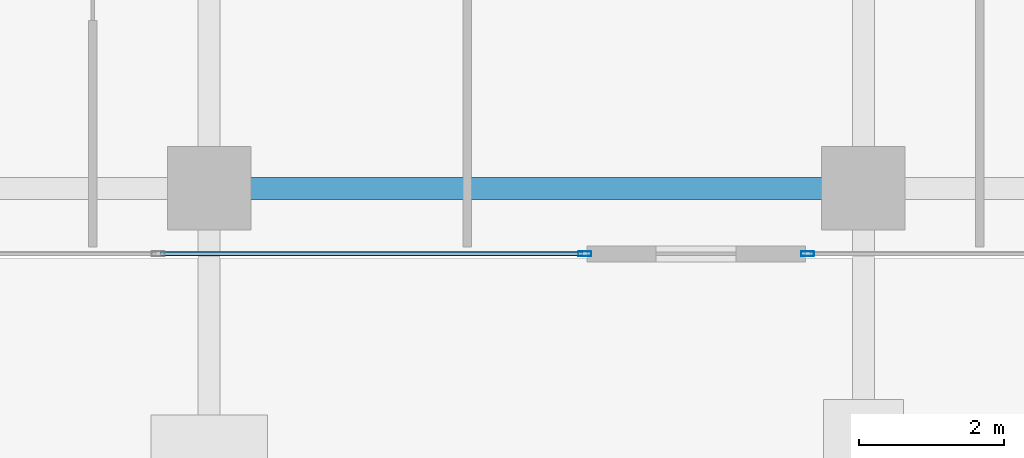
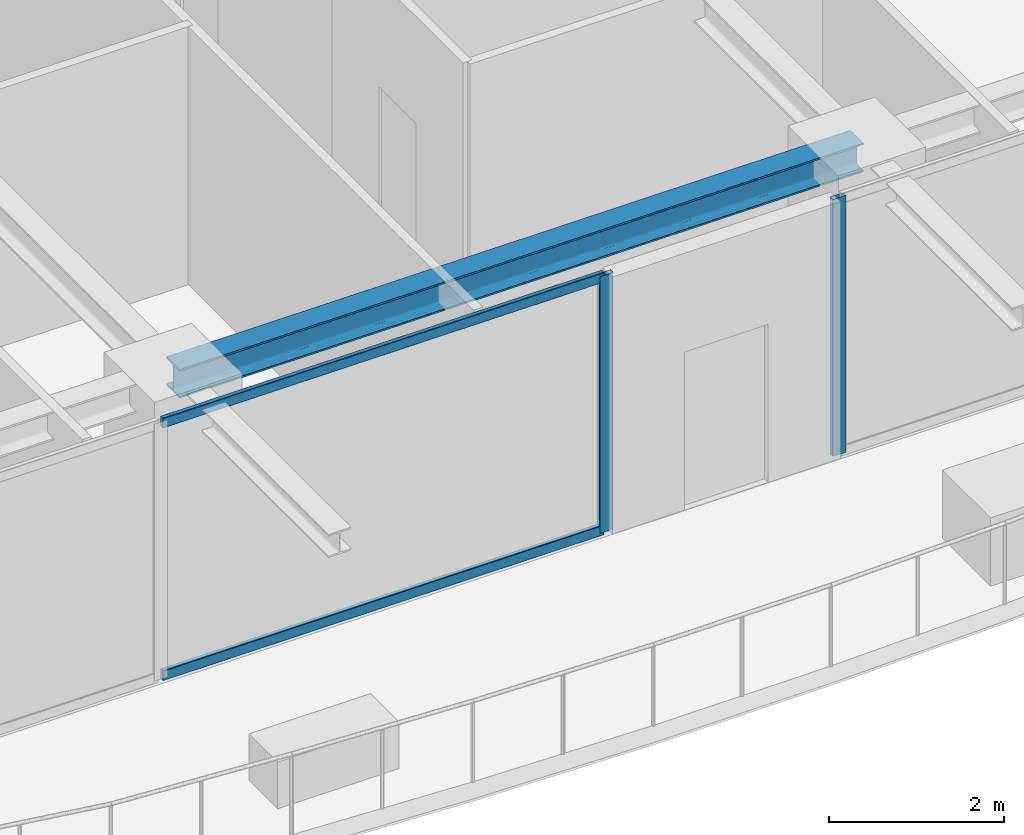
# One storey, part 6 of 36: 4 members, 1 beam, 2 elements without a shape of their own.
"""IFC4 building model written with IfcOpenShell, lengths in metres."""

from ifc_helpers import new_model, si_unit, direction, frame, origin, origin_2d, place, context, subcontext, project, spatial, hollow_rectangle, i_section, extrude, source, transform, mapped, material, layer, layer_set, material_profile, profile_set, type_object, element, aggregate, save


model = new_model("IFC4")

# Units and contexts
model_context = context("Model", 3, precision=1e-05, world=origin(), true_north=direction((0.0, 1.0)))
body_context = subcontext(model_context, "Body", "Model", "MODEL_VIEW")
ifc_project = project(units=[si_unit("LENGTHUNIT", "METRE"), si_unit("AREAUNIT", "SQUARE_METRE"), si_unit("VOLUMEUNIT", "CUBIC_METRE"), si_unit("PLANEANGLEUNIT", "RADIAN"), si_unit("MASSUNIT", "GRAM", prefix="KILO")], contexts=[model_context])

# Site, building, storey
site_placement = place(None, origin())
site = spatial("IfcSite", under=ifc_project, at=site_placement, CompositionType="ELEMENT")
building_placement = place(site_placement, origin())
building = spatial("IfcBuilding", under=site, at=building_placement, Name="Serunith Strait Residences", CompositionType="ELEMENT")
storey_placement = place(building_placement, frame((0.0, 0.0, 272.050048828125)))
storey = spatial("IfcBuildingStorey", under=building, at=storey_placement, Name="L68", CompositionType="ELEMENT", Elevation=272.050048828125)

# Beam
ifc_material_1 = material(Name="Steel S355J2", Category="steel")
ifc_material_profile_1 = material_profile(ifc_material_1, i_section(OverallWidth=0.300048828125, OverallDepth=0.39990234375, WebThickness=0.013427734375, FlangeThickness=0.02392578125, FilletRadius=0.027099609375, at=origin_2d()), Name="HEB 400")
ifc_profile_set_1 = profile_set([ifc_material_profile_1], Name="Steel S355J2")
beam_type = type_object("IfcBeamType", Name="BM-HEB400", PredefinedType="BEAM", material=ifc_profile_set_1)
shared_shape_1 = source(origin(), body_context, "Body", "SweptSolid", [
    extrude(i_section(OverallWidth=0.300048828125, OverallDepth=0.39990234375, WebThickness=0.013427734375, FlangeThickness=0.02392578125, FilletRadius=0.027099609375, at=origin_2d()), origin(), (0.0, 0.0, 1.0), 9.0),
])
beam_placement = place(storey_placement, frame((27.89990234375, 2.10009765625, 3.386962890625), z_axis=(1.0, 0.0, 0.0), x_axis=(0.0, 1.0, 0.0)))
element("IfcBeam", 1, at=beam_placement, inside=storey, type_object=beam_type, Name="L68 Perimeter Ring Beam 02", PredefinedType="BEAM", context=body_context, shape_type="MappedRepresentation", body=[
    mapped(shared_shape_1, transform((0.0, 0.0, 0.0), scale=1.0)),
])

# Curtain wall, member
ifc_material_2 = material(Name="Pale-Champagne Anodised Aluminium", Category="aluminium")
ifc_layer = layer(ifc_material_2, 0.199951171875, Name="Pale-Champagne Anodised Aluminium")
ifc_layer_set = layer_set([ifc_layer], Name="Pale-Champagne Anodised Aluminium")
curtain_wall_type = type_object("IfcCurtainWallType", Name="CW-SYS4", PredefinedType="NOTDEFINED", material=ifc_layer_set)
curtain_wall_1_placement = place(storey_placement, origin())
curtain_wall_1 = element("IfcCurtainWall", 2, at=curtain_wall_1_placement, inside=storey, type_object=curtain_wall_type, Name="L68 S Unitised Fritted Curtain Wall", PredefinedType="NOTDEFINED")
ifc_material_profile_2 = material_profile(ifc_material_2, hollow_rectangle(XDim=0.06494140625, YDim=0.179931640625, WallThickness=0.00341796875, InnerFilletRadius=0.00537109375, OuterFilletRadius=0.0087890625, at=origin_2d()), Name="ALU 180x65x3.5")
ifc_profile_set_2 = profile_set([ifc_material_profile_2], Name="Pale-Champagne Anodised Aluminium")
member_type_1 = type_object("IfcMemberType", Name="CW-SYS4-MULL", PredefinedType="MULLION", material=ifc_profile_set_2)
shared_shape_2 = source(origin(), body_context, "Body", "SweptSolid", [
    extrude(hollow_rectangle(XDim=0.06494140625, YDim=0.179931640625, WallThickness=0.00341796875, InnerFilletRadius=0.00537109375, OuterFilletRadius=0.0087890625, at=origin_2d()), origin(), (0.0, 0.0, 1.0), 3.574951171875),
])
member_1_placement = place(storey_placement, frame((33.0673828125, 1.199951171875, 0.0), z_axis=(0.0, 0.0, 1.0), x_axis=(0.0, 1.0, 0.0)))
member_1 = element("IfcMember", 3, at=member_1_placement, type_object=member_type_1, Name="CW-4 mullion 4", PredefinedType="MULLION", context=body_context, shape_type="MappedRepresentation", body=[
    mapped(shared_shape_2, transform((0.0, 0.0, 0.0), scale=1.0)),
])

curtain_wall_2_placement = place(storey_placement, origin())
curtain_wall_2 = element("IfcCurtainWall", 4, at=curtain_wall_2_placement, inside=storey, type_object=curtain_wall_type, Name="L68 S Unitised Fritted Curtain Wall", PredefinedType="NOTDEFINED")
member_2_placement = place(storey_placement, frame((36.132568359375, 1.199951171875, 0.0), z_axis=(0.0, 0.0, 1.0), x_axis=(0.0, 1.0, 0.0)))
member_2 = element("IfcMember", 5, at=member_2_placement, type_object=member_type_1, Name="CW-4 mullion 1", PredefinedType="MULLION", context=body_context, shape_type="MappedRepresentation", body=[
    mapped(shared_shape_2, transform((0.0, 0.0, 0.0), scale=1.0)),
])
aggregate(curtain_wall_2, [member_2])

# Member
ifc_material_profile_3 = material_profile(ifc_material_2, hollow_rectangle(XDim=0.06005859375, YDim=0.139892578125, WallThickness=0.00341796875, InnerFilletRadius=0.00537109375, OuterFilletRadius=0.0087890625, at=origin_2d()), Name="ALU 140x60x3.5")
ifc_profile_set_3 = profile_set([ifc_material_profile_3], Name="Pale-Champagne Anodised Aluminium")
member_type_2 = type_object("IfcMemberType", Name="CW-SYS4-TRAN", PredefinedType="USERDEFINED", material=ifc_profile_set_3)
shared_shape_3 = source(origin(), body_context, "Body", "SweptSolid", [
    extrude(hollow_rectangle(XDim=0.06005859375, YDim=0.139892578125, WallThickness=0.00341796875, InnerFilletRadius=0.00537109375, OuterFilletRadius=0.0087890625, at=origin_2d()), origin(), (0.0, 0.0, 1.0), 5.802490234375),
])
member_3_placement = place(storey_placement, frame((27.232421875, 1.199951171875, 0.030029296875), z_axis=(1.0, 0.0, 0.0), x_axis=(0.0, 1.0, 0.0)))
member_3 = element("IfcMember", 6, at=member_3_placement, type_object=member_type_2, Name="CW-4 transom 3.1", ObjectType="TRANSOM", PredefinedType="USERDEFINED", context=body_context, shape_type="MappedRepresentation", body=[
    mapped(shared_shape_3, transform((0.0, 0.0, 0.0), scale=1.0)),
])

member_4_placement = place(storey_placement, frame((27.232421875, 1.199951171875, 3.544921875), z_axis=(1.0, 0.0, 0.0), x_axis=(0.0, 1.0, 0.0)))
member_4 = element("IfcMember", 7, at=member_4_placement, type_object=member_type_2, Name="CW-4 transom 3.2", ObjectType="TRANSOM", PredefinedType="USERDEFINED", context=body_context, shape_type="MappedRepresentation", body=[
    mapped(shared_shape_3, transform((0.0, 0.0, 0.0), scale=1.0)),
])

aggregate(curtain_wall_1, [member_1, member_3, member_4])

save(model, "model.ifc")
